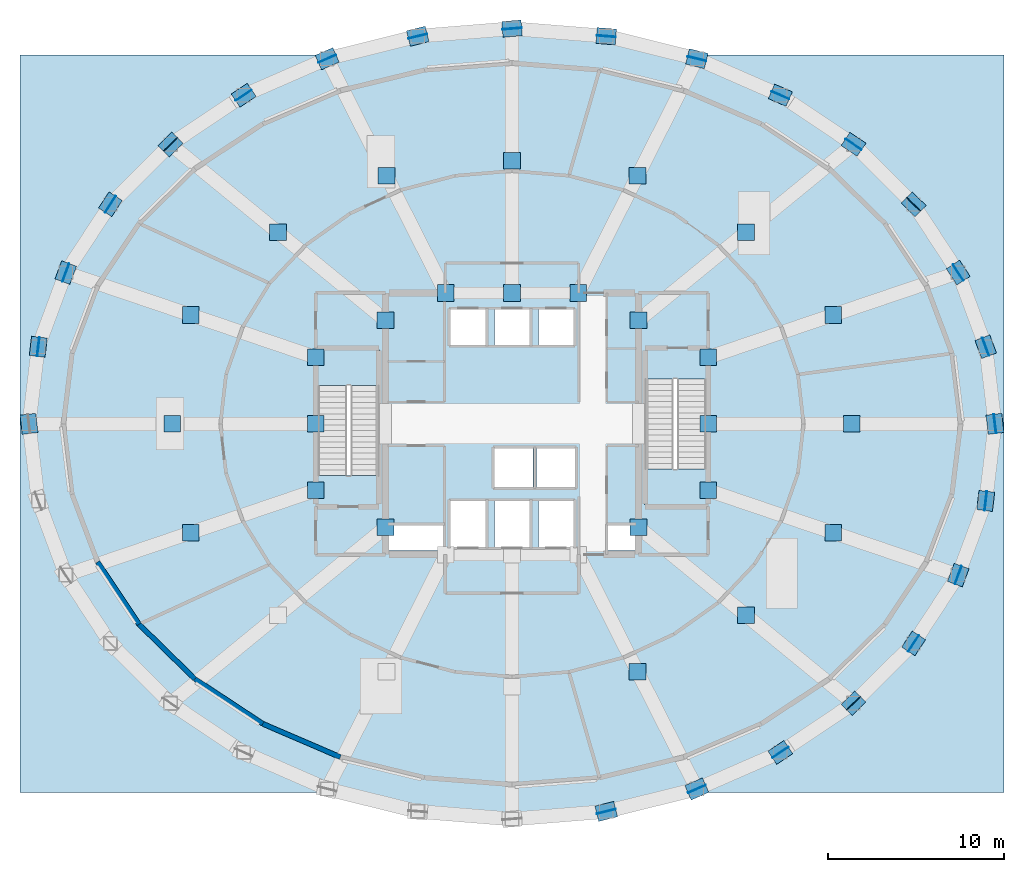
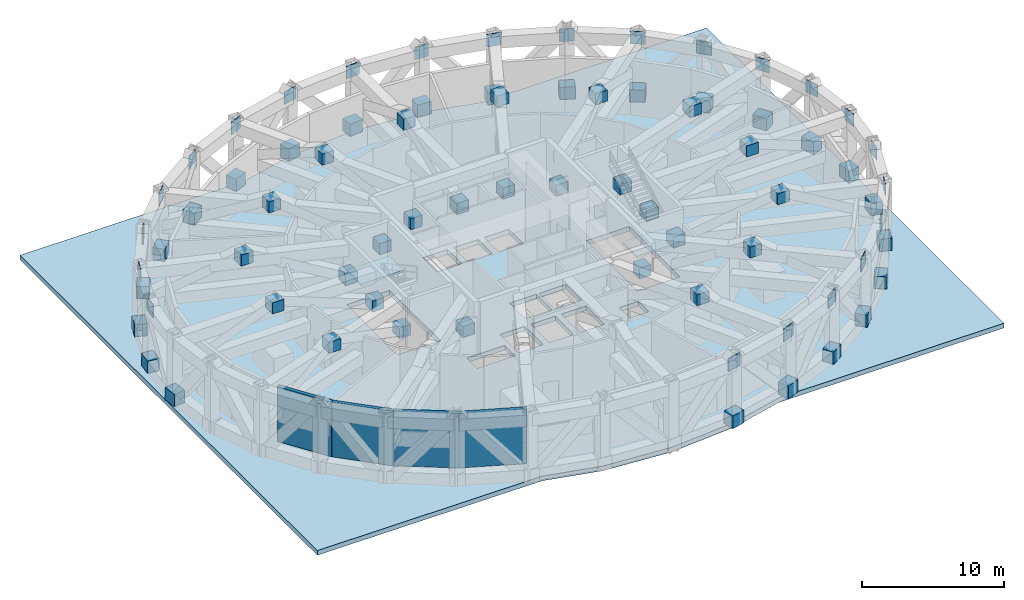
# One storey, part 4 of 12: 73 plates, 4 walls, 3 slabs, 2 elements without a shape of their own.
"""IFC4 building model written with IfcOpenShell, lengths in metres."""

from ifc_helpers import new_model, si_unit, direction, frame, frame_2d, origin, origin_2d, place, context, subcontext, project, spatial, polyline, rectangle, outline, extrude, material, layer, layer_set, type_object, element, aggregate, save


model = new_model("IFC4")

# Units and contexts
model_context = context("Model", 3, precision=1e-05, world=origin(), true_north=direction((0.0, 1.0)))
body_context = subcontext(model_context, "Body", "Model", "MODEL_VIEW")
ifc_project = project(units=[si_unit("LENGTHUNIT", "METRE"), si_unit("AREAUNIT", "SQUARE_METRE"), si_unit("VOLUMEUNIT", "CUBIC_METRE"), si_unit("PLANEANGLEUNIT", "RADIAN"), si_unit("MASSUNIT", "GRAM", prefix="KILO")], contexts=[model_context])

# Site, building, storey
site_placement = place(None, origin())
site = spatial("IfcSite", under=ifc_project, at=site_placement, CompositionType="ELEMENT")
building_placement = place(site_placement, origin())
building = spatial("IfcBuilding", under=site, at=building_placement, Name="Veldorina Hangang Commons", CompositionType="ELEMENT")
storey_placement = place(building_placement, frame((0.0, 0.0, 24.39990234375)))
storey = spatial("IfcBuildingStorey", under=building, at=storey_placement, Name="L05", CompositionType="ELEMENT", Elevation=24.39990234375)

# Plates
ifc_material_1 = material(Name="Steel SM490-TMC", Category="steel")
ifc_layer_1 = layer(ifc_material_1, 0.044921875)
ifc_layer_set_1 = layer_set([ifc_layer_1], Name="Steel SM490-TMC")
plate_type = type_object("IfcPlateType", Name="PL-NODE-45", PredefinedType="SHEET", material=ifc_layer_set_1)
plate_1_placement = place(storey_placement, frame((59.5, 24.0, 4.68994140625), z_axis=(0.0, 0.0, 1.0), x_axis=(-0.119513047327, 0.992832630164, 0.0)))
element("IfcPlate", 1, at=plate_1_placement, inside=storey, type_object=plate_type, Name="L05 transfer node gusset plate 00", PredefinedType="SHEET", context=body_context, shape_type="SweptSolid", body=[
    extrude(rectangle(XDim=1.10009765625, YDim=0.044921875, at=origin_2d()), origin(), (0.0, 0.0, 1.0), 1.10009765625),
])
plate_2_placement = place(storey_placement, frame((59.5, 24.0, -0.050048828125), z_axis=(0.0, 0.0, 1.0), x_axis=(-0.119513047327, 0.992832630164, 0.0)))
element("IfcPlate", 2, at=plate_2_placement, inside=storey, type_object=plate_type, Name="L05 transfer bottom node gusset 00", PredefinedType="SHEET", context=body_context, shape_type="SweptSolid", body=[
    extrude(rectangle(XDim=1.10009765625, YDim=0.89990234375, at=origin_2d()), origin(), (0.0, 0.0, 1.0), 1.10009765625),
])
plate_3_placement = place(storey_placement, frame((58.9716796875, 28.389404296875, 4.68994140625), z_axis=(0.0, 0.0, 1.0), x_axis=(-0.347623066797, 0.937634365534, 0.0)))
element("IfcPlate", 3, at=plate_3_placement, inside=storey, type_object=plate_type, Name="L05 transfer node gusset plate 01", PredefinedType="SHEET", context=body_context, shape_type="SweptSolid", body=[
    extrude(rectangle(XDim=1.10009765625, YDim=0.044921875, at=origin_2d()), origin(), (0.0, 0.0, 1.0), 1.10009765625),
])
plate_4_placement = place(storey_placement, frame((58.9716796875, 28.389404296875, -0.050048828125), z_axis=(0.0, 0.0, 1.0), x_axis=(-0.347623066797, 0.937634365534, 0.0)))
element("IfcPlate", 4, at=plate_4_placement, inside=storey, type_object=plate_type, Name="L05 transfer bottom node gusset 01", PredefinedType="SHEET", context=body_context, shape_type="SweptSolid", body=[
    extrude(rectangle(XDim=1.10009765625, YDim=0.89990234375, at=origin_2d()), origin(), (0.0, 0.0, 1.0), 1.10009765625),
])
plate_5_placement = place(storey_placement, frame((57.40673828125, 32.6103515625, 4.68994140625), z_axis=(0.0, 0.0, 1.0), x_axis=(-0.546935084777, 0.83717501936, 0.0)))
element("IfcPlate", 5, at=plate_5_placement, inside=storey, type_object=plate_type, Name="L05 transfer node gusset plate 02", PredefinedType="SHEET", context=body_context, shape_type="SweptSolid", body=[
    extrude(rectangle(XDim=1.10009765625, YDim=0.044921875, at=origin_2d()), origin(), (0.0, 0.0, 1.0), 1.10009765625),
])
plate_6_placement = place(storey_placement, frame((57.40673828125, 32.6103515625, -0.050048828125), z_axis=(0.0, 0.0, 1.0), x_axis=(-0.546935084777, 0.83717501936, 0.0)))
element("IfcPlate", 6, at=plate_6_placement, inside=storey, type_object=plate_type, Name="L05 transfer bottom node gusset 02", PredefinedType="SHEET", context=body_context, shape_type="SweptSolid", body=[
    extrude(rectangle(XDim=1.10009765625, YDim=0.89990234375, at=origin_2d()), origin(), (0.0, 0.0, 1.0), 1.10009765625),
])
plate_7_placement = place(storey_placement, frame((54.865478515625, 36.500244140625, 4.68994140625), z_axis=(0.0, 0.0, 1.0), x_axis=(-0.708179662314, 0.706032269719, 0.0)))
element("IfcPlate", 7, at=plate_7_placement, inside=storey, type_object=plate_type, Name="L05 transfer node gusset plate 03", PredefinedType="SHEET", context=body_context, shape_type="SweptSolid", body=[
    extrude(rectangle(XDim=1.10009765625, YDim=0.044921875, at=origin_2d()), origin(), (0.0, 0.0, 1.0), 1.10009765625),
])
plate_8_placement = place(storey_placement, frame((54.865478515625, 36.500244140625, -0.050048828125), z_axis=(0.0, 0.0, 1.0), x_axis=(-0.708179662314, 0.706032269719, 0.0)))
element("IfcPlate", 8, at=plate_8_placement, inside=storey, type_object=plate_type, Name="L05 transfer bottom node gusset 03", PredefinedType="SHEET", context=body_context, shape_type="SweptSolid", body=[
    extrude(rectangle(XDim=1.10009765625, YDim=0.89990234375, at=origin_2d()), origin(), (0.0, 0.0, 1.0), 1.10009765625),
])
plate_9_placement = place(storey_placement, frame((51.4453125, 39.909912109375, 4.68994140625), z_axis=(0.0, 0.0, 1.0), x_axis=(-0.830197194737, 0.557469835821, 0.0)))
element("IfcPlate", 9, at=plate_9_placement, inside=storey, type_object=plate_type, Name="L05 transfer node gusset plate 04", PredefinedType="SHEET", context=body_context, shape_type="SweptSolid", body=[
    extrude(rectangle(XDim=1.10009765625, YDim=0.044921875, at=origin_2d()), origin(), (0.0, 0.0, 1.0), 1.10009765625),
])
plate_10_placement = place(storey_placement, frame((51.4453125, 39.909912109375, -0.050048828125), z_axis=(0.0, 0.0, 1.0), x_axis=(-0.830197194737, 0.557469835821, 0.0)))
element("IfcPlate", 10, at=plate_10_placement, inside=storey, type_object=plate_type, Name="L05 transfer bottom node gusset 04", PredefinedType="SHEET", context=body_context, shape_type="SweptSolid", body=[
    extrude(rectangle(XDim=1.10009765625, YDim=0.89990234375, at=origin_2d()), origin(), (0.0, 0.0, 1.0), 1.10009765625),
])
plate_11_placement = place(storey_placement, frame((47.2783203125, 42.7080078125, 4.68994140625), z_axis=(0.0, 0.0, 1.0), x_axis=(-0.916215932431, 0.400684870141, 0.0)))
element("IfcPlate", 11, at=plate_11_placement, inside=storey, type_object=plate_type, Name="L05 transfer node gusset plate 05", PredefinedType="SHEET", context=body_context, shape_type="SweptSolid", body=[
    extrude(rectangle(XDim=1.10009765625, YDim=0.044921875, at=origin_2d()), origin(), (0.0, 0.0, 1.0), 1.10009765625),
])
plate_12_placement = place(storey_placement, frame((47.2783203125, 42.7080078125, -0.050048828125), z_axis=(0.0, 0.0, 1.0), x_axis=(-0.916215932431, 0.400684870141, 0.0)))
element("IfcPlate", 12, at=plate_12_placement, inside=storey, type_object=plate_type, Name="L05 transfer bottom node gusset 05", PredefinedType="SHEET", context=body_context, shape_type="SweptSolid", body=[
    extrude(rectangle(XDim=1.10009765625, YDim=0.89990234375, at=origin_2d()), origin(), (0.0, 0.0, 1.0), 1.10009765625),
])
plate_13_placement = place(storey_placement, frame((42.523681640625, 44.787353515625, 4.68994140625), z_axis=(0.0, 0.0, 1.0), x_axis=(-0.970552738672, 0.240888732524, 0.0)))
element("IfcPlate", 13, at=plate_13_placement, inside=storey, type_object=plate_type, Name="L05 transfer node gusset plate 06", PredefinedType="SHEET", context=body_context, shape_type="SweptSolid", body=[
    extrude(rectangle(XDim=1.10009765625, YDim=0.044921875, at=origin_2d()), origin(), (0.0, 0.0, 1.0), 1.10009765625),
])
plate_14_placement = place(storey_placement, frame((42.523681640625, 44.787353515625, -0.050048828125), z_axis=(0.0, 0.0, 1.0), x_axis=(-0.970552738672, 0.240888732524, 0.0)))
element("IfcPlate", 14, at=plate_14_placement, inside=storey, type_object=plate_type, Name="L05 transfer bottom node gusset 06", PredefinedType="SHEET", context=body_context, shape_type="SweptSolid", body=[
    extrude(rectangle(XDim=1.10009765625, YDim=0.89990234375, at=origin_2d()), origin(), (0.0, 0.0, 1.0), 1.10009765625),
])
plate_15_placement = place(storey_placement, frame((37.364990234375, 46.067626953125, 4.68994140625), z_axis=(0.0, 0.0, 1.0), x_axis=(-0.99676907287, 0.080320703243, 0.0)))
element("IfcPlate", 15, at=plate_15_placement, inside=storey, type_object=plate_type, Name="L05 transfer node gusset plate 07", PredefinedType="SHEET", context=body_context, shape_type="SweptSolid", body=[
    extrude(rectangle(XDim=1.10009765625, YDim=0.044921875, at=origin_2d()), origin(), (0.0, 0.0, 1.0), 1.10009765625),
])
plate_16_placement = place(storey_placement, frame((37.364990234375, 46.067626953125, -0.050048828125), z_axis=(0.0, 0.0, 1.0), x_axis=(-0.99676907287, 0.080320703243, 0.0)))
element("IfcPlate", 16, at=plate_16_placement, inside=storey, type_object=plate_type, Name="L05 transfer bottom node gusset 07", PredefinedType="SHEET", context=body_context, shape_type="SweptSolid", body=[
    extrude(rectangle(XDim=1.10009765625, YDim=0.89990234375, at=origin_2d()), origin(), (0.0, 0.0, 1.0), 1.10009765625),
])
plate_17_placement = place(storey_placement, frame((32.0, 46.5, 4.68994140625), z_axis=(0.0, 0.0, 1.0), x_axis=(-0.99676907287, -0.080320703243, 0.0)))
element("IfcPlate", 17, at=plate_17_placement, inside=storey, type_object=plate_type, Name="L05 transfer node gusset plate 08", PredefinedType="SHEET", context=body_context, shape_type="SweptSolid", body=[
    extrude(rectangle(XDim=1.10009765625, YDim=0.044921875, at=origin_2d()), origin(), (0.0, 0.0, 1.0), 1.10009765625),
])
plate_18_placement = place(storey_placement, frame((32.0, 46.5, -0.050048828125), z_axis=(0.0, 0.0, 1.0), x_axis=(-0.99676907287, -0.080320703243, 0.0)))
element("IfcPlate", 18, at=plate_18_placement, inside=storey, type_object=plate_type, Name="L05 transfer bottom node gusset 08", PredefinedType="SHEET", context=body_context, shape_type="SweptSolid", body=[
    extrude(rectangle(XDim=1.10009765625, YDim=0.89990234375, at=origin_2d()), origin(), (0.0, 0.0, 1.0), 1.10009765625),
])
plate_19_placement = place(storey_placement, frame((26.635009765625, 46.067626953125, 4.68994140625), z_axis=(0.0, 0.0, 1.0), x_axis=(-0.970552738672, -0.240888732524, 0.0)))
element("IfcPlate", 19, at=plate_19_placement, inside=storey, type_object=plate_type, Name="L05 transfer node gusset plate 09", PredefinedType="SHEET", context=body_context, shape_type="SweptSolid", body=[
    extrude(rectangle(XDim=1.10009765625, YDim=0.044921875, at=origin_2d()), origin(), (0.0, 0.0, 1.0), 1.10009765625),
])
plate_20_placement = place(storey_placement, frame((26.635009765625, 46.067626953125, -0.050048828125), z_axis=(0.0, 0.0, 1.0), x_axis=(-0.970552738672, -0.240888732524, 0.0)))
element("IfcPlate", 20, at=plate_20_placement, inside=storey, type_object=plate_type, Name="L05 transfer bottom node gusset 09", PredefinedType="SHEET", context=body_context, shape_type="SweptSolid", body=[
    extrude(rectangle(XDim=1.10009765625, YDim=0.89990234375, at=origin_2d()), origin(), (0.0, 0.0, 1.0), 1.10009765625),
])
plate_21_placement = place(storey_placement, frame((21.476318359375, 44.787353515625, 4.68994140625), z_axis=(0.0, 0.0, 1.0), x_axis=(-0.916215932431, -0.400684870141, 0.0)))
element("IfcPlate", 21, at=plate_21_placement, inside=storey, type_object=plate_type, Name="L05 transfer node gusset plate 10", PredefinedType="SHEET", context=body_context, shape_type="SweptSolid", body=[
    extrude(rectangle(XDim=1.10009765625, YDim=0.044921875, at=origin_2d()), origin(), (0.0, 0.0, 1.0), 1.10009765625),
])
plate_22_placement = place(storey_placement, frame((21.476318359375, 44.787353515625, -0.050048828125), z_axis=(0.0, 0.0, 1.0), x_axis=(-0.916215932431, -0.400684870141, 0.0)))
element("IfcPlate", 22, at=plate_22_placement, inside=storey, type_object=plate_type, Name="L05 transfer bottom node gusset 10", PredefinedType="SHEET", context=body_context, shape_type="SweptSolid", body=[
    extrude(rectangle(XDim=1.10009765625, YDim=0.89990234375, at=origin_2d()), origin(), (0.0, 0.0, 1.0), 1.10009765625),
])
plate_23_placement = place(storey_placement, frame((16.7216796875, 42.7080078125, 4.68994140625), z_axis=(0.0, 0.0, 1.0), x_axis=(-0.830197194737, -0.557469835821, 0.0)))
element("IfcPlate", 23, at=plate_23_placement, inside=storey, type_object=plate_type, Name="L05 transfer node gusset plate 11", PredefinedType="SHEET", context=body_context, shape_type="SweptSolid", body=[
    extrude(rectangle(XDim=1.10009765625, YDim=0.044921875, at=origin_2d()), origin(), (0.0, 0.0, 1.0), 1.10009765625),
])
plate_24_placement = place(storey_placement, frame((16.7216796875, 42.7080078125, -0.050048828125), z_axis=(0.0, 0.0, 1.0), x_axis=(-0.830197194737, -0.557469835821, 0.0)))
element("IfcPlate", 24, at=plate_24_placement, inside=storey, type_object=plate_type, Name="L05 transfer bottom node gusset 11", PredefinedType="SHEET", context=body_context, shape_type="SweptSolid", body=[
    extrude(rectangle(XDim=1.10009765625, YDim=0.89990234375, at=origin_2d()), origin(), (0.0, 0.0, 1.0), 1.10009765625),
])
plate_25_placement = place(storey_placement, frame((12.5546875, 39.909912109375, 4.68994140625), z_axis=(0.0, 0.0, 1.0), x_axis=(-0.708179662314, -0.706032269719, 0.0)))
element("IfcPlate", 25, at=plate_25_placement, inside=storey, type_object=plate_type, Name="L05 transfer node gusset plate 12", PredefinedType="SHEET", context=body_context, shape_type="SweptSolid", body=[
    extrude(rectangle(XDim=1.10009765625, YDim=0.044921875, at=origin_2d()), origin(), (0.0, 0.0, 1.0), 1.10009765625),
])
plate_26_placement = place(storey_placement, frame((12.5546875, 39.909912109375, -0.050048828125), z_axis=(0.0, 0.0, 1.0), x_axis=(-0.708179662314, -0.706032269719, 0.0)))
element("IfcPlate", 26, at=plate_26_placement, inside=storey, type_object=plate_type, Name="L05 transfer bottom node gusset 12", PredefinedType="SHEET", context=body_context, shape_type="SweptSolid", body=[
    extrude(rectangle(XDim=1.10009765625, YDim=0.89990234375, at=origin_2d()), origin(), (0.0, 0.0, 1.0), 1.10009765625),
])
plate_27_placement = place(storey_placement, frame((9.134521484375, 36.500244140625, 4.68994140625), z_axis=(0.0, 0.0, 1.0), x_axis=(-0.546935084777, -0.83717501936, 0.0)))
element("IfcPlate", 27, at=plate_27_placement, inside=storey, type_object=plate_type, Name="L05 transfer node gusset plate 13", PredefinedType="SHEET", context=body_context, shape_type="SweptSolid", body=[
    extrude(rectangle(XDim=1.10009765625, YDim=0.044921875, at=origin_2d()), origin(), (0.0, 0.0, 1.0), 1.10009765625),
])
plate_28_placement = place(storey_placement, frame((9.134521484375, 36.500244140625, -0.050048828125), z_axis=(0.0, 0.0, 1.0), x_axis=(-0.546935084777, -0.83717501936, 0.0)))
element("IfcPlate", 28, at=plate_28_placement, inside=storey, type_object=plate_type, Name="L05 transfer bottom node gusset 13", PredefinedType="SHEET", context=body_context, shape_type="SweptSolid", body=[
    extrude(rectangle(XDim=1.10009765625, YDim=0.89990234375, at=origin_2d()), origin(), (0.0, 0.0, 1.0), 1.10009765625),
])
plate_29_placement = place(storey_placement, frame((6.59326171875, 32.6103515625, 4.68994140625), z_axis=(0.0, 0.0, 1.0), x_axis=(-0.347623066797, -0.937634365534, 0.0)))
element("IfcPlate", 29, at=plate_29_placement, inside=storey, type_object=plate_type, Name="L05 transfer node gusset plate 14", PredefinedType="SHEET", context=body_context, shape_type="SweptSolid", body=[
    extrude(rectangle(XDim=1.10009765625, YDim=0.044921875, at=origin_2d()), origin(), (0.0, 0.0, 1.0), 1.10009765625),
])
plate_30_placement = place(storey_placement, frame((6.59326171875, 32.6103515625, -0.050048828125), z_axis=(0.0, 0.0, 1.0), x_axis=(-0.347623066797, -0.937634365534, 0.0)))
element("IfcPlate", 30, at=plate_30_placement, inside=storey, type_object=plate_type, Name="L05 transfer bottom node gusset 14", PredefinedType="SHEET", context=body_context, shape_type="SweptSolid", body=[
    extrude(rectangle(XDim=1.10009765625, YDim=0.89990234375, at=origin_2d()), origin(), (0.0, 0.0, 1.0), 1.10009765625),
])
plate_31_placement = place(storey_placement, frame((5.0283203125, 28.389404296875, 4.68994140625), z_axis=(0.0, 0.0, 1.0), x_axis=(-0.119513047327, -0.992832630164, 0.0)))
element("IfcPlate", 31, at=plate_31_placement, inside=storey, type_object=plate_type, Name="L05 transfer node gusset plate 15", PredefinedType="SHEET", context=body_context, shape_type="SweptSolid", body=[
    extrude(rectangle(XDim=1.10009765625, YDim=0.044921875, at=origin_2d()), origin(), (0.0, 0.0, 1.0), 1.10009765625),
])
for number, where, z_axis, x_axis, name in (
    (32, (5.0283203125, 28.389404296875, -0.050048828125), (0.0, 0.0, 1.0), (-0.119513047327, -0.992832630164, 0.0), "L05 transfer bottom node gusset 15"),
    (33, (4.5, 24.0, -0.050048828125), (0.0, 0.0, 1.0), (0.119513047327, -0.992832630164, 0.0), "L05 transfer bottom node gusset 16"),
):
    element("IfcPlate", number, at=place(storey_placement, frame(where, z_axis=z_axis, x_axis=x_axis)), inside=storey, type_object=plate_type, Name=name, PredefinedType="SHEET", context=body_context, shape_type="SweptSolid", body=[
        extrude(rectangle(XDim=1.10009765625, YDim=0.89990234375, at=origin_2d()), origin(), (0.0, 0.0, 1.0), 1.10009765625),
    ])
plate_32_placement = place(storey_placement, frame((37.364990234375, 1.932373046875, 4.68994140625), z_axis=(0.0, 0.0, 1.0), x_axis=(0.970552738672, 0.240888732524, 0.0)))
element("IfcPlate", 34, at=plate_32_placement, inside=storey, type_object=plate_type, Name="L05 transfer node gusset plate 25", PredefinedType="SHEET", context=body_context, shape_type="SweptSolid", body=[
    extrude(rectangle(XDim=1.10009765625, YDim=0.044921875, at=origin_2d()), origin(), (0.0, 0.0, 1.0), 1.10009765625),
])
plate_33_placement = place(storey_placement, frame((37.364990234375, 1.932373046875, -0.050048828125), z_axis=(0.0, 0.0, 1.0), x_axis=(0.970552738672, 0.240888732524, 0.0)))
element("IfcPlate", 35, at=plate_33_placement, inside=storey, type_object=plate_type, Name="L05 transfer bottom node gusset 25", PredefinedType="SHEET", context=body_context, shape_type="SweptSolid", body=[
    extrude(rectangle(XDim=1.10009765625, YDim=0.89990234375, at=origin_2d()), origin(), (0.0, 0.0, 1.0), 1.10009765625),
])
plate_34_placement = place(storey_placement, frame((42.523681640625, 3.212646484375, 4.68994140625), z_axis=(0.0, 0.0, 1.0), x_axis=(0.916215932431, 0.400684870141, 0.0)))
element("IfcPlate", 36, at=plate_34_placement, inside=storey, type_object=plate_type, Name="L05 transfer node gusset plate 26", PredefinedType="SHEET", context=body_context, shape_type="SweptSolid", body=[
    extrude(rectangle(XDim=1.10009765625, YDim=0.044921875, at=origin_2d()), origin(), (0.0, 0.0, 1.0), 1.10009765625),
])
plate_35_placement = place(storey_placement, frame((42.523681640625, 3.212646484375, -0.050048828125), z_axis=(0.0, 0.0, 1.0), x_axis=(0.916215932431, 0.400684870141, 0.0)))
element("IfcPlate", 37, at=plate_35_placement, inside=storey, type_object=plate_type, Name="L05 transfer bottom node gusset 26", PredefinedType="SHEET", context=body_context, shape_type="SweptSolid", body=[
    extrude(rectangle(XDim=1.10009765625, YDim=0.89990234375, at=origin_2d()), origin(), (0.0, 0.0, 1.0), 1.10009765625),
])
plate_36_placement = place(storey_placement, frame((47.2783203125, 5.2919921875, 4.68994140625), z_axis=(0.0, 0.0, 1.0), x_axis=(0.830197194737, 0.557469835821, 0.0)))
element("IfcPlate", 38, at=plate_36_placement, inside=storey, type_object=plate_type, Name="L05 transfer node gusset plate 27", PredefinedType="SHEET", context=body_context, shape_type="SweptSolid", body=[
    extrude(rectangle(XDim=1.10009765625, YDim=0.044921875, at=origin_2d()), origin(), (0.0, 0.0, 1.0), 1.10009765625),
])
plate_37_placement = place(storey_placement, frame((47.2783203125, 5.2919921875, -0.050048828125), z_axis=(0.0, 0.0, 1.0), x_axis=(0.830197194737, 0.557469835821, 0.0)))
element("IfcPlate", 39, at=plate_37_placement, inside=storey, type_object=plate_type, Name="L05 transfer bottom node gusset 27", PredefinedType="SHEET", context=body_context, shape_type="SweptSolid", body=[
    extrude(rectangle(XDim=1.10009765625, YDim=0.89990234375, at=origin_2d()), origin(), (0.0, 0.0, 1.0), 1.10009765625),
])
plate_38_placement = place(storey_placement, frame((51.4453125, 8.090087890625, 4.68994140625), z_axis=(0.0, 0.0, 1.0), x_axis=(0.708179662314, 0.706032269719, 0.0)))
element("IfcPlate", 40, at=plate_38_placement, inside=storey, type_object=plate_type, Name="L05 transfer node gusset plate 28", PredefinedType="SHEET", context=body_context, shape_type="SweptSolid", body=[
    extrude(rectangle(XDim=1.10009765625, YDim=0.044921875, at=origin_2d()), origin(), (0.0, 0.0, 1.0), 1.10009765625),
])
plate_39_placement = place(storey_placement, frame((51.4453125, 8.090087890625, -0.050048828125), z_axis=(0.0, 0.0, 1.0), x_axis=(0.708179662314, 0.706032269719, 0.0)))
element("IfcPlate", 41, at=plate_39_placement, inside=storey, type_object=plate_type, Name="L05 transfer bottom node gusset 28", PredefinedType="SHEET", context=body_context, shape_type="SweptSolid", body=[
    extrude(rectangle(XDim=1.10009765625, YDim=0.89990234375, at=origin_2d()), origin(), (0.0, 0.0, 1.0), 1.10009765625),
])
plate_40_placement = place(storey_placement, frame((54.865478515625, 11.499755859375, 4.68994140625), z_axis=(0.0, 0.0, 1.0), x_axis=(0.546935084777, 0.83717501936, 0.0)))
element("IfcPlate", 42, at=plate_40_placement, inside=storey, type_object=plate_type, Name="L05 transfer node gusset plate 29", PredefinedType="SHEET", context=body_context, shape_type="SweptSolid", body=[
    extrude(rectangle(XDim=1.10009765625, YDim=0.044921875, at=origin_2d()), origin(), (0.0, 0.0, 1.0), 1.10009765625),
])
plate_41_placement = place(storey_placement, frame((54.865478515625, 11.499755859375, -0.050048828125), z_axis=(0.0, 0.0, 1.0), x_axis=(0.546935084777, 0.83717501936, 0.0)))
element("IfcPlate", 43, at=plate_41_placement, inside=storey, type_object=plate_type, Name="L05 transfer bottom node gusset 29", PredefinedType="SHEET", context=body_context, shape_type="SweptSolid", body=[
    extrude(rectangle(XDim=1.10009765625, YDim=0.89990234375, at=origin_2d()), origin(), (0.0, 0.0, 1.0), 1.10009765625),
])
plate_42_placement = place(storey_placement, frame((57.40673828125, 15.3896484375, 4.68994140625), z_axis=(0.0, 0.0, 1.0), x_axis=(0.347623066797, 0.937634365534, 0.0)))
element("IfcPlate", 44, at=plate_42_placement, inside=storey, type_object=plate_type, Name="L05 transfer node gusset plate 30", PredefinedType="SHEET", context=body_context, shape_type="SweptSolid", body=[
    extrude(rectangle(XDim=1.10009765625, YDim=0.044921875, at=origin_2d()), origin(), (0.0, 0.0, 1.0), 1.10009765625),
])
plate_43_placement = place(storey_placement, frame((57.40673828125, 15.3896484375, -0.050048828125), z_axis=(0.0, 0.0, 1.0), x_axis=(0.347623066797, 0.937634365534, 0.0)))
element("IfcPlate", 45, at=plate_43_placement, inside=storey, type_object=plate_type, Name="L05 transfer bottom node gusset 30", PredefinedType="SHEET", context=body_context, shape_type="SweptSolid", body=[
    extrude(rectangle(XDim=1.10009765625, YDim=0.89990234375, at=origin_2d()), origin(), (0.0, 0.0, 1.0), 1.10009765625),
])
plate_44_placement = place(storey_placement, frame((58.9716796875, 19.610595703125, 4.68994140625), z_axis=(0.0, 0.0, 1.0), x_axis=(0.119513047327, 0.992832630164, 0.0)))
element("IfcPlate", 46, at=plate_44_placement, inside=storey, type_object=plate_type, Name="L05 transfer node gusset plate 31", PredefinedType="SHEET", context=body_context, shape_type="SweptSolid", body=[
    extrude(rectangle(XDim=1.10009765625, YDim=0.044921875, at=origin_2d()), origin(), (0.0, 0.0, 1.0), 1.10009765625),
])
plate_45_placement = place(storey_placement, frame((58.9716796875, 19.610595703125, -0.050048828125), z_axis=(0.0, 0.0, 1.0), x_axis=(0.119513047327, 0.992832630164, 0.0)))
element("IfcPlate", 47, at=plate_45_placement, inside=storey, type_object=plate_type, Name="L05 transfer bottom node gusset 31", PredefinedType="SHEET", context=body_context, shape_type="SweptSolid", body=[
    extrude(rectangle(XDim=1.10009765625, YDim=0.89990234375, at=origin_2d()), origin(), (0.0, 0.0, 1.0), 1.10009765625),
])
for number, where, z_axis, x_axis, name in (
    (48, (43.179931640625, 24.0, 2.375), (0.0, 0.0, 1.0), (1.0, 0.0, 0.0), "L05 radial transfer node 01-IN"),
    (49, (51.340087890625, 24.0, 5.0751953125), (0.0, 0.0, 1.0), (1.0, 0.0, 0.0), "L05 radial transfer node 01-MD"),
    (50, (43.179931640625, 27.788818359375, 2.375), (0.0, 0.0, 1.0), (1.0, 0.0, 0.0), "L05 radial transfer node 02-IN"),
    (51, (50.29345703125, 30.19970703125, 5.0751953125), (0.0, 0.0, 1.0), (1.0, 0.0, 0.0), "L05 radial transfer node 02-MD"),
    (52, (39.199951171875, 29.890869140625, 2.375), (0.0, 0.0, 1.0), (1.0, 0.0, 0.0), "L05 radial transfer node 03-IN"),
    (53, (45.32275390625, 34.900390625, 5.0751953125), (0.0, 0.0, 1.0), (1.0, 0.0, 0.0), "L05 radial transfer node 03-MD"),
    (54, (35.771484375, 31.449951171875, 2.375), (0.0, 0.0, 1.0), (1.0, 0.0, 0.0), "L05 radial transfer node 04-IN"),
    (55, (39.147705078125, 38.11865234375, 5.0751953125), (0.0, 0.0, 1.0), (1.0, 0.0, 0.0), "L05 radial transfer node 04-MD"),
    (56, (32.0, 31.449951171875, 2.375), (0.0, 0.0, 1.0), (1.0, 0.0, 0.0), "L05 radial transfer node 05-IN"),
    (57, (32.0, 38.97509765625, 5.0751953125), (0.0, 0.0, 1.0), (1.0, 0.0, 0.0), "L05 radial transfer node 05-MD"),
    (58, (28.228515625, 31.449951171875, 2.375), (0.0, 0.0, 1.0), (1.0, 0.0, 0.0), "L05 radial transfer node 06-IN"),
    (59, (24.852294921875, 38.11865234375, 5.0751953125), (0.0, 0.0, 1.0), (1.0, 0.0, 0.0), "L05 radial transfer node 06-MD"),
    (60, (24.800048828125, 29.890869140625, 2.375), (0.0, 0.0, 1.0), (1.0, 0.0, 0.0), "L05 radial transfer node 07-IN"),
    (61, (18.67724609375, 34.900390625, 5.0751953125), (0.0, 0.0, 1.0), (1.0, 0.0, 0.0), "L05 radial transfer node 07-MD"),
    (62, (20.820068359375, 27.788818359375, 2.375), (0.0, 0.0, 1.0), (1.0, 0.0, 0.0), "L05 radial transfer node 08-IN"),
    (63, (13.70654296875, 30.19970703125, 5.0751953125), (0.0, 0.0, 1.0), (1.0, 0.0, 0.0), "L05 radial transfer node 08-MD"),
    (64, (20.820068359375, 24.0, 2.375), (0.0, 0.0, 1.0), (1.0, 0.0, 0.0), "L05 radial transfer node 09-IN"),
    (65, (12.659912109375, 24.0, 5.0751953125), (0.0, 0.0, 1.0), (1.0, 0.0, 0.0), "L05 radial transfer node 09-MD"),
    (66, (20.820068359375, 20.211181640625, 2.375), (0.0, 0.0, 1.0), (1.0, 0.0, 0.0), "L05 radial transfer node 10-IN"),
    (67, (13.70654296875, 17.80029296875, 5.0751953125), (0.0, 0.0, 1.0), (1.0, 0.0, 0.0), "L05 radial transfer node 10-MD"),
    (68, (24.800048828125, 18.109130859375, 2.375), (0.0, 0.0, 1.0), (1.0, 0.0, 0.0), "L05 radial transfer node 11-IN"),
    (69, (39.147705078125, 9.88134765625, 5.0751953125), (0.0, 0.0, 1.0), (1.0, 0.0, 0.0), "L05 radial transfer node 14-MD"),
    (70, (39.199951171875, 18.109130859375, 2.375), (0.0, 0.0, 1.0), (1.0, 0.0, 0.0), "L05 radial transfer node 15-IN"),
    (71, (45.32275390625, 13.099609375, 5.0751953125), (0.0, 0.0, 1.0), (1.0, 0.0, 0.0), "L05 radial transfer node 15-MD"),
    (72, (43.179931640625, 20.211181640625, 2.375), (0.0, 0.0, 1.0), (1.0, 0.0, 0.0), "L05 radial transfer node 16-IN"),
    (73, (50.29345703125, 17.80029296875, 5.0751953125), (0.0, 0.0, 1.0), (1.0, 0.0, 0.0), "L05 radial transfer node 16-MD"),
):
    element("IfcPlate", number, at=place(storey_placement, frame(where, z_axis=z_axis, x_axis=x_axis)), inside=storey, type_object=plate_type, Name=name, PredefinedType="SHEET", context=body_context, shape_type="SweptSolid", body=[
        extrude(rectangle(XDim=0.949951171875, YDim=0.949951171875, at=origin_2d()), origin(), (0.0, 0.0, 1.0), 0.949951171875),
    ])

# Slab
ifc_material_2 = material(Name="Concrete C50/60", Category="concrete")
ifc_layer_2 = layer(ifc_material_2, 0.39990234375)
ifc_layer_set_2 = layer_set([ifc_layer_2], Name="Concrete C50/60")
slab_type_1 = type_object("IfcSlabType", Name="SL-FLR-400", PredefinedType="FLOOR", material=ifc_layer_set_2)
slab_1_placement = place(storey_placement, frame((0.0, 0.0, -0.39990234375)))
element("IfcSlab", 74, at=slab_1_placement, inside=storey, type_object=slab_type_1, Name="L05 podium structural floor slab", PredefinedType="FLOOR", context=body_context, shape_type="SweptSolid", body=[
    extrude(outline(polyline([(4.0, 3.0), (4.0, 45.0), (22.333251953125, 45.0), (26.635009765625, 46.067626953125), (32.0, 46.5), (37.364990234375, 46.067626953125), (41.666748046875, 45.0), (60.0, 45.0), (60.0, 3.0), (41.666748046875, 3.0), (37.364990234375, 1.932373046875), (32.0, 1.5), (26.635009765625, 1.932373046875), (22.333251953125, 3.0), (4.0, 3.0)]), holes=[polyline([(20.949951171875, 21.05810546875), (20.949951171875, 28.199951171875), (24.449951171875, 28.199951171875), (24.449951171875, 21.05810546875), (20.949951171875, 21.05810546875)]), polyline([(43.050048828125, 26.5419921875), (43.050048828125, 19.39990234375), (39.550048828125, 19.39990234375), (39.550048828125, 26.5419921875), (43.050048828125, 26.5419921875)]), polyline([(28.5, 30.5), (30.5, 30.5), (30.5, 28.5), (28.5, 28.5), (28.5, 30.5)]), polyline([(31.0, 30.5), (33.0, 30.5), (33.0, 28.5), (31.0, 28.5), (31.0, 30.5)]), polyline([(33.5, 30.5), (35.5, 30.5), (35.5, 28.5), (33.5, 28.5), (33.5, 30.5)]), polyline([(31.0, 22.60009765625), (33.199951171875, 22.60009765625), (33.199951171875, 20.39990234375), (31.0, 20.39990234375), (31.0, 22.60009765625)]), polyline([(33.39990234375, 22.60009765625), (35.60009765625, 22.60009765625), (35.60009765625, 20.39990234375), (33.39990234375, 20.39990234375), (33.39990234375, 22.60009765625)]), polyline([(28.5, 19.60009765625), (30.5, 19.60009765625), (30.5, 17.0), (28.5, 17.0), (28.5, 19.60009765625)]), polyline([(31.0, 19.60009765625), (33.0, 19.60009765625), (33.0, 17.0), (31.0, 17.0), (31.0, 19.60009765625)]), polyline([(33.5, 19.60009765625), (35.5, 19.60009765625), (35.5, 17.0), (33.5, 17.0), (33.5, 19.60009765625)]), polyline([(25.0, 18.25), (28.10009765625, 18.25), (28.10009765625, 16.800048828125), (25.0, 16.800048828125), (25.0, 18.25)]), polyline([(37.449951171875, 18.25), (39.0, 18.25), (39.0, 16.800048828125), (37.449951171875, 16.800048828125), (37.449951171875, 18.25)])]), origin(), (0.0, 0.0, 1.0), 0.39990234375),
])

# Stair, slab
ifc_material_3 = material(Name="Concrete C40/50", Category="concrete")
stair_type = type_object("IfcStairType", Name="STR-DOG-1650-34R", PredefinedType="HALF_TURN_STAIR", material=ifc_material_3)
stair_1_placement = place(storey_placement, origin())
stair_1 = element("IfcStair", 75, at=stair_1_placement, inside=storey, type_object=stair_type, Name="L05 Exit stair ST-1", PredefinedType="HALF_TURN_STAIR")
ifc_layer_3 = layer(ifc_material_3, 0.199951171875)
ifc_layer_set_3 = layer_set([ifc_layer_3], Name="Concrete C40/50")
slab_type_2 = type_object("IfcSlabType", Name="SL-LND-200", PredefinedType="LANDING", material=ifc_layer_set_3)
slab_2_placement = place(storey_placement, frame((0.0, 0.0, 2.800048828125)))
slab_2 = element("IfcSlab", 76, at=slab_2_placement, type_object=slab_type_2, Name="ST-1 landing 1", PredefinedType="LANDING", context=body_context, shape_type="SweptSolid", body=[
    extrude(outline(polyline([(24.449951171875, 26.169921875), (24.449951171875, 28.199951171875), (20.949951171875, 28.199951171875), (20.949951171875, 26.169921875), (24.449951171875, 26.169921875)])), origin(), (0.0, 0.0, 1.0), 0.199951171875),
])
aggregate(stair_1, [slab_2])

stair_2_placement = place(storey_placement, origin())
stair_2 = element("IfcStair", 77, at=stair_2_placement, inside=storey, type_object=stair_type, Name="L05 Exit stair ST-2", PredefinedType="HALF_TURN_STAIR")
slab_3_placement = place(storey_placement, frame((0.0, 0.0, 2.800048828125)))
slab_3 = element("IfcSlab", 78, at=slab_3_placement, type_object=slab_type_2, Name="ST-2 landing 1", PredefinedType="LANDING", context=body_context, shape_type="SweptSolid", body=[
    extrude(outline(polyline([(39.550048828125, 21.429931640625), (39.550048828125, 19.39990234375), (43.050048828125, 19.39990234375), (43.050048828125, 21.429931640625), (39.550048828125, 21.429931640625)])), origin(), (0.0, 0.0, 1.0), 0.199951171875),
])
aggregate(stair_2, [slab_3])

# Walls
ifc_material_4 = material(Name="Stone Roman Travertine", Category="masonry")
ifc_layer_4 = layer(ifc_material_4, 0.280029296875)
ifc_layer_set_4 = layer_set([ifc_layer_4], Name="Stone Roman Travertine")
wall_type = type_object("IfcWallType", Name="EW-TRAV-280", PredefinedType="STANDARD", material=ifc_layer_set_4)
wall_1_placement = place(storey_placement, frame((8.404052734375, 16.1396484375, 0.0), z_axis=(0.0, 0.0, 1.0), x_axis=(0.55356334222, -0.832807076189, 0.0)))
element("IfcWall", 79, at=wall_1_placement, inside=storey, type_object=wall_type, Name="L05 transfer plant exterior stone wall 18", PredefinedType="STANDARD", context=body_context, shape_type="SweptSolid", body=[
    extrude(rectangle(XDim=4.263916015625, YDim=0.280029296875, at=frame_2d((2.1318359375, 0.0))), origin(), (0.0, 0.0, 1.0), 4.710205078125),
])
wall_2_placement = place(storey_placement, frame((10.764404296875, 12.588623046875, 0.0), z_axis=(0.0, 0.0, 1.0), x_axis=(0.714207899037, -0.699933623248, 0.0)))
element("IfcWall", 80, at=wall_2_placement, inside=storey, type_object=wall_type, Name="L05 transfer plant exterior stone wall 19", PredefinedType="STANDARD", context=body_context, shape_type="SweptSolid", body=[
    extrude(rectangle(XDim=4.447021484375, YDim=0.280029296875, at=frame_2d((2.2236328125, 0.0))), origin(), (0.0, 0.0, 1.0), 4.710205078125),
])
wall_3_placement = place(storey_placement, frame((13.9404296875, 9.47607421875, 0.0), z_axis=(0.0, 0.0, 1.0), x_axis=(0.834608922487, -0.550842941776, 0.0)))
element("IfcWall", 81, at=wall_3_placement, inside=storey, type_object=wall_type, Name="L05 transfer plant exterior stone wall 20", PredefinedType="STANDARD", context=body_context, shape_type="SweptSolid", body=[
    extrude(rectangle(XDim=4.637451171875, YDim=0.280029296875, at=frame_2d((2.31884765625, 0.0))), origin(), (0.0, 0.0, 1.0), 4.710205078125),
])
wall_4_placement = place(storey_placement, frame((17.810791015625, 6.921630859375, 0.0), z_axis=(0.0, 0.0, 1.0), x_axis=(0.918705683067, -0.394942866629, 0.0)))
element("IfcWall", 82, at=wall_4_placement, inside=storey, type_object=wall_type, Name="L05 transfer plant exterior stone wall 21", PredefinedType="STANDARD", context=body_context, shape_type="SweptSolid", body=[
    extrude(rectangle(XDim=4.80615234375, YDim=0.280029296875, at=frame_2d((2.403076171875, 0.0))), origin(), (0.0, 0.0, 1.0), 4.710205078125),
])

save(model, "model.ifc")
